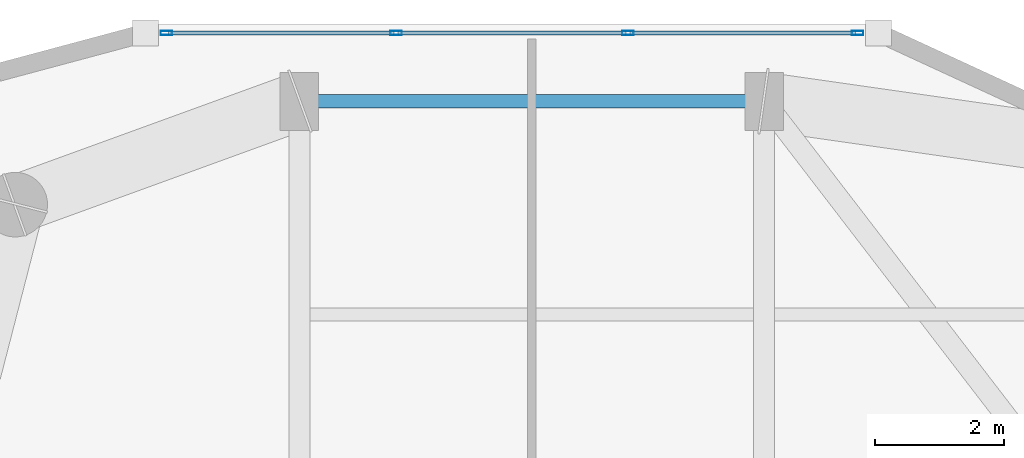
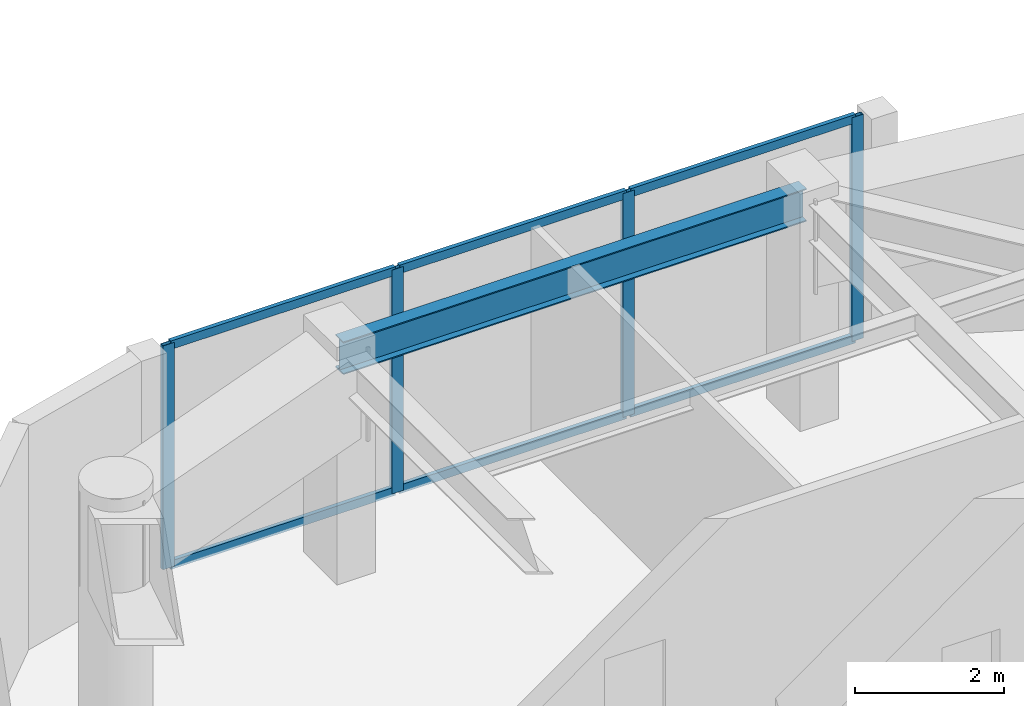
# One storey, part 6 of 15: 10 members, 1 beam, 1 element without a shape of its own.
"""IFC4 building model written with IfcOpenShell, lengths in metres."""

from ifc_helpers import new_model, si_unit, direction, frame, origin, origin_2d, place, context, subcontext, project, spatial, hollow_rectangle, i_section, extrude, material, layer, layer_set, material_profile, profile_set, type_object, element, aggregate, save


model = new_model("IFC4")

# Units and contexts
model_context = context("Model", 3, precision=1e-05, world=origin(), true_north=direction((0.0, 1.0)))
body_context = subcontext(model_context, "Body", "Model", "MODEL_VIEW")
ifc_project = project(units=[si_unit("LENGTHUNIT", "METRE"), si_unit("AREAUNIT", "SQUARE_METRE"), si_unit("VOLUMEUNIT", "CUBIC_METRE"), si_unit("PLANEANGLEUNIT", "RADIAN"), si_unit("MASSUNIT", "GRAM", prefix="KILO")], contexts=[model_context])

# Site, building, storey
site_placement = place(None, origin())
site = spatial("IfcSite", under=ifc_project, at=site_placement, CompositionType="ELEMENT")
building_placement = place(site_placement, origin())
building = spatial("IfcBuilding", under=site, at=building_placement, Name="Kiyonajd Concourse Tower", CompositionType="ELEMENT")
storey_placement = place(building_placement, frame((0.0, 0.0, 314.10009765625)))
storey = spatial("IfcBuildingStorey", under=building, at=storey_placement, Name="L79", CompositionType="ELEMENT", Elevation=314.10009765625)

# Beam
ifc_material_1 = material(Name="Steel ASTM A992 Grade 50", Category="steel")
ifc_material_profile_1 = material_profile(ifc_material_1, i_section(OverallWidth=0.2109375, OverallDepth=0.5390625, WebThickness=0.01171875, FlangeThickness=0.018798828125, at=origin_2d()), Name="W530X109")
ifc_profile_set_1 = profile_set([ifc_material_profile_1], Name="Steel ASTM A992 Grade 50")
beam_type = type_object("IfcBeamType", Name="BM-SPAN-530B", PredefinedType="SPANDREL", material=ifc_profile_set_1)
beam_placement = place(storey_placement, frame((39.60009765625, 52.199951171875, 3.410400390625), z_axis=(-1.0, 0.0, 0.0), x_axis=(0.0, -1.0, 0.0)))
element("IfcBeam", 1, at=beam_placement, inside=storey, type_object=beam_type, Name="L79 Perimeter Bundled Tube Spandrel", PredefinedType="SPANDREL", context=body_context, shape_type="SweptSolid", body=[
    extrude(i_section(OverallWidth=0.2109375, OverallDepth=0.5390625, WebThickness=0.01171875, FlangeThickness=0.018798828125, at=origin_2d()), origin(), (0.0, 0.0, 1.0), 7.2001953125),
])

# Curtain wall, members
ifc_material_2 = material(Name="Thermally Broken Anodised Aluminium", Category="aluminium")
ifc_layer = layer(ifc_material_2, 0.179931640625)
ifc_layer_set = layer_set([ifc_layer], Name="Thermally Broken Anodised Aluminium")
curtain_wall_type = type_object("IfcCurtainWallType", Name="CW-SYS-04", PredefinedType="NOTDEFINED", material=ifc_layer_set)
curtain_wall_placement = place(storey_placement, origin())
curtain_wall = element("IfcCurtainWall", 2, at=curtain_wall_placement, inside=storey, type_object=curtain_wall_type, Name="L79 Unitised Curtain Wall CW4", PredefinedType="NOTDEFINED")
ifc_material_profile_2 = material_profile(ifc_material_2, hollow_rectangle(XDim=0.06494140625, YDim=0.179931640625, WallThickness=0.00390625, at=origin_2d()), Name="MULL-65x180")
ifc_profile_set_2 = profile_set([ifc_material_profile_2], Name="Thermally Broken Anodised Aluminium")
member_type_1 = type_object("IfcMemberType", Name="MB-CW-MULL1", PredefinedType="MULLION", material=ifc_profile_set_2)
member_1_placement = place(storey_placement, frame((30.3408203125, 53.260009765625, 0.0), z_axis=(0.0, 0.0, 1.0), x_axis=(0.0, 1.0, 0.0)))
member_1 = element("IfcMember", 3, at=member_1_placement, type_object=member_type_1, Name="CW4 mullion 1", PredefinedType="MULLION", context=body_context, shape_type="SweptSolid", body=[
    extrude(hollow_rectangle(XDim=0.06494140625, YDim=0.179931640625, WallThickness=0.00390625, at=origin_2d()), origin(), (0.0, 0.0, 1.0), 3.679931640625),
])
member_2_placement = place(storey_placement, frame((33.898681640625, 53.260009765625, 0.0), z_axis=(0.0, 0.0, 1.0), x_axis=(0.0, 1.0, 0.0)))
member_2 = element("IfcMember", 4, at=member_2_placement, type_object=member_type_1, Name="CW4 mullion 2", PredefinedType="MULLION", context=body_context, shape_type="SweptSolid", body=[
    extrude(hollow_rectangle(XDim=0.06494140625, YDim=0.179931640625, WallThickness=0.00390625, at=origin_2d()), origin(), (0.0, 0.0, 1.0), 3.679931640625),
])
member_3_placement = place(storey_placement, frame((37.489013671875, 53.260009765625, 0.0), z_axis=(0.0, 0.0, 1.0), x_axis=(0.0, 1.0, 0.0)))
member_3 = element("IfcMember", 5, at=member_3_placement, type_object=member_type_1, Name="CW4 mullion 3", PredefinedType="MULLION", context=body_context, shape_type="SweptSolid", body=[
    extrude(hollow_rectangle(XDim=0.06494140625, YDim=0.179931640625, WallThickness=0.00390625, at=origin_2d()), origin(), (0.0, 0.0, 1.0), 3.679931640625),
])
member_4_placement = place(storey_placement, frame((41.046875, 53.260009765625, 0.0), z_axis=(0.0, 0.0, 1.0), x_axis=(0.0, 1.0, 0.0)))
member_4 = element("IfcMember", 6, at=member_4_placement, type_object=member_type_1, Name="CW4 mullion 4", PredefinedType="MULLION", context=body_context, shape_type="SweptSolid", body=[
    extrude(hollow_rectangle(XDim=0.06494140625, YDim=0.179931640625, WallThickness=0.00390625, at=origin_2d()), origin(), (0.0, 0.0, 1.0), 3.679931640625),
])
ifc_material_profile_3 = material_profile(ifc_material_2, hollow_rectangle(XDim=0.06494140625, YDim=0.139892578125, WallThickness=0.00390625, at=origin_2d()), Name="TRAN-65x140")
ifc_profile_set_3 = profile_set([ifc_material_profile_3], Name="Thermally Broken Anodised Aluminium")
member_type_2 = type_object("IfcMemberType", Name="MB-CW-TRAN1", PredefinedType="USERDEFINED", material=ifc_profile_set_3)
member_5_placement = place(storey_placement, frame((30.373291015625, 53.260009765625, 0.032470703125), z_axis=(1.0, 0.0, 0.0), x_axis=(0.0, 1.0, 0.0)))
member_5 = element("IfcMember", 7, at=member_5_placement, type_object=member_type_2, Name="CW4 transom 1.1", ObjectType="TRANSOM", PredefinedType="USERDEFINED", context=body_context, shape_type="SweptSolid", body=[
    extrude(hollow_rectangle(XDim=0.06494140625, YDim=0.139892578125, WallThickness=0.00390625, at=origin_2d()), origin(), (0.0, 0.0, 1.0), 3.492919921875),
])
member_6_placement = place(storey_placement, frame((30.373291015625, 53.260009765625, 3.6474609375), z_axis=(1.0, 0.0, 0.0), x_axis=(0.0, 1.0, 0.0)))
member_6 = element("IfcMember", 8, at=member_6_placement, type_object=member_type_2, Name="CW4 transom 1.2", ObjectType="TRANSOM", PredefinedType="USERDEFINED", context=body_context, shape_type="SweptSolid", body=[
    extrude(hollow_rectangle(XDim=0.06494140625, YDim=0.139892578125, WallThickness=0.00390625, at=origin_2d()), origin(), (0.0, 0.0, 1.0), 3.492919921875),
])
member_7_placement = place(storey_placement, frame((33.93115234375, 53.260009765625, 0.032470703125), z_axis=(1.0, 0.0, 0.0), x_axis=(0.0, 1.0, 0.0)))
member_7 = element("IfcMember", 9, at=member_7_placement, type_object=member_type_2, Name="CW4 transom 2.1", ObjectType="TRANSOM", PredefinedType="USERDEFINED", context=body_context, shape_type="SweptSolid", body=[
    extrude(hollow_rectangle(XDim=0.06494140625, YDim=0.139892578125, WallThickness=0.00390625, at=origin_2d()), origin(), (0.0, 0.0, 1.0), 3.525390625),
])
member_8_placement = place(storey_placement, frame((33.93115234375, 53.260009765625, 3.6474609375), z_axis=(1.0, 0.0, 0.0), x_axis=(0.0, 1.0, 0.0)))
member_8 = element("IfcMember", 10, at=member_8_placement, type_object=member_type_2, Name="CW4 transom 2.2", ObjectType="TRANSOM", PredefinedType="USERDEFINED", context=body_context, shape_type="SweptSolid", body=[
    extrude(hollow_rectangle(XDim=0.06494140625, YDim=0.139892578125, WallThickness=0.00390625, at=origin_2d()), origin(), (0.0, 0.0, 1.0), 3.525390625),
])
member_9_placement = place(storey_placement, frame((37.521484375, 53.260009765625, 0.032470703125), z_axis=(1.0, 0.0, 0.0), x_axis=(0.0, 1.0, 0.0)))
member_9 = element("IfcMember", 11, at=member_9_placement, type_object=member_type_2, Name="CW4 transom 3.1", ObjectType="TRANSOM", PredefinedType="USERDEFINED", context=body_context, shape_type="SweptSolid", body=[
    extrude(hollow_rectangle(XDim=0.06494140625, YDim=0.139892578125, WallThickness=0.00390625, at=origin_2d()), origin(), (0.0, 0.0, 1.0), 3.492919921875),
])
member_10_placement = place(storey_placement, frame((37.521484375, 53.260009765625, 3.6474609375), z_axis=(1.0, 0.0, 0.0), x_axis=(0.0, 1.0, 0.0)))
member_10 = element("IfcMember", 12, at=member_10_placement, type_object=member_type_2, Name="CW4 transom 3.2", ObjectType="TRANSOM", PredefinedType="USERDEFINED", context=body_context, shape_type="SweptSolid", body=[
    extrude(hollow_rectangle(XDim=0.06494140625, YDim=0.139892578125, WallThickness=0.00390625, at=origin_2d()), origin(), (0.0, 0.0, 1.0), 3.492919921875),
])
aggregate(curtain_wall, [member_1, member_2, member_3, member_4, member_5, member_6, member_7, member_8, member_9, member_10])

save(model, "model.ifc")
